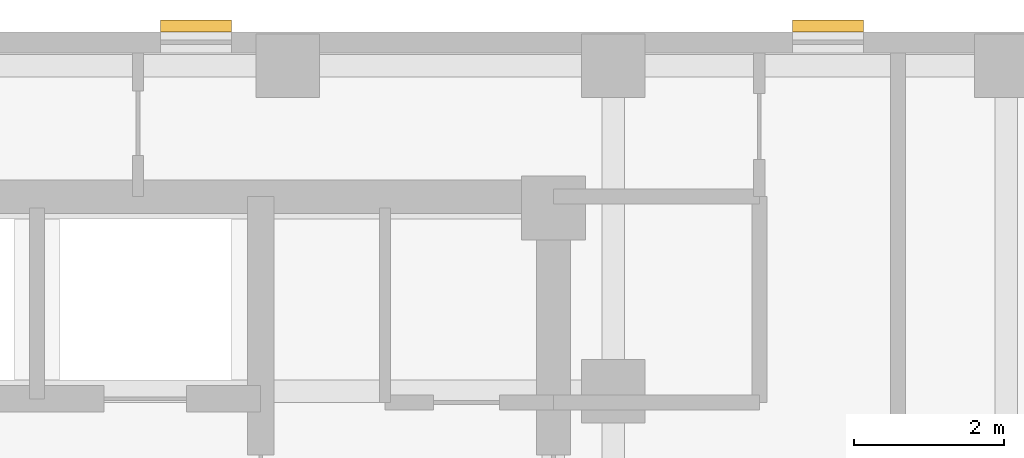
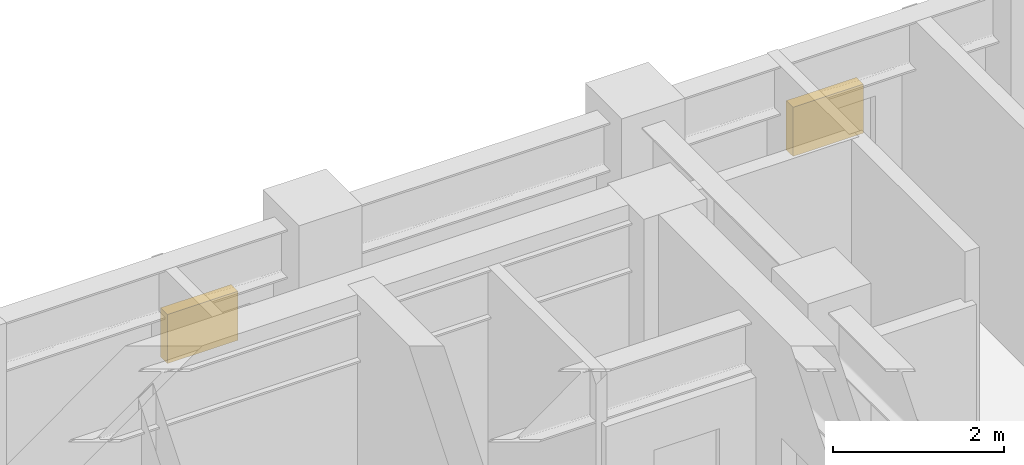
# One storey, part 10 of 10: 2 shading devices.
"""IFC4 building model written with IfcOpenShell, lengths in metres."""

from ifc_helpers import new_model, si_unit, direction, frame, origin, origin_2d, place, context, subcontext, project, spatial, rectangle, extrude, material, type_object, element, save


model = new_model("IFC4")

# Units and contexts
model_context = context("Model", 3, precision=1e-05, world=origin(), true_north=direction((0.0, 1.0)))
body_context = subcontext(model_context, "Body", "Model", "MODEL_VIEW")
ifc_project = project(units=[si_unit("LENGTHUNIT", "METRE"), si_unit("AREAUNIT", "SQUARE_METRE"), si_unit("VOLUMEUNIT", "CUBIC_METRE"), si_unit("PLANEANGLEUNIT", "RADIAN"), si_unit("MASSUNIT", "GRAM", prefix="KILO")], contexts=[model_context])

# Site, building, storey
site_placement = place(None, origin())
site = spatial("IfcSite", under=ifc_project, at=site_placement, CompositionType="ELEMENT")
building_placement = place(site_placement, origin())
building = spatial("IfcBuilding", under=site, at=building_placement, Name="Orvandelia Arch Residences", CompositionType="ELEMENT")
storey_placement = place(building_placement, frame((0.0, 0.0, 211.0)))
storey = spatial("IfcBuildingStorey", under=building, at=storey_placement, Name="L55", CompositionType="ELEMENT", Elevation=211.0)

# Shading devices
ifc_material = material(Name="Anodised Champagne-Bronze Extruded Aluminium", Category="aluminium")
shading_device_type = type_object("IfcShadingDeviceType", Name="SHD-JALOUSIE-SCREEN", PredefinedType="JALOUSIE", material=ifc_material)
for number, where, z_axis, x_axis, name in (
    (1, (26.4150390625, 48.080078125, 1.5498046875), (0.0, 0.0, 1.0), (1.0, 0.0, 0.0), "Bronze Jalousie Sun-Shade L55-001"),
    (2, (17.9775390625, 48.080078125, 1.5498046875), (0.0, 0.0, 1.0), (1.0, 0.0, 0.0), "Bronze Jalousie Sun-Shade L55-002"),
):
    element("IfcShadingDevice", number, at=place(storey_placement, frame(where, z_axis=z_axis, x_axis=x_axis)), inside=storey, type_object=shading_device_type, Name=name, PredefinedType="JALOUSIE", context=body_context, shape_type="SweptSolid", body=[
        extrude(rectangle(XDim=0.949951171875, YDim=0.159912109375, at=origin_2d()), origin(), (0.0, 0.0, 1.0), 0.699951171875),
    ])

save(model, "model.ifc")
